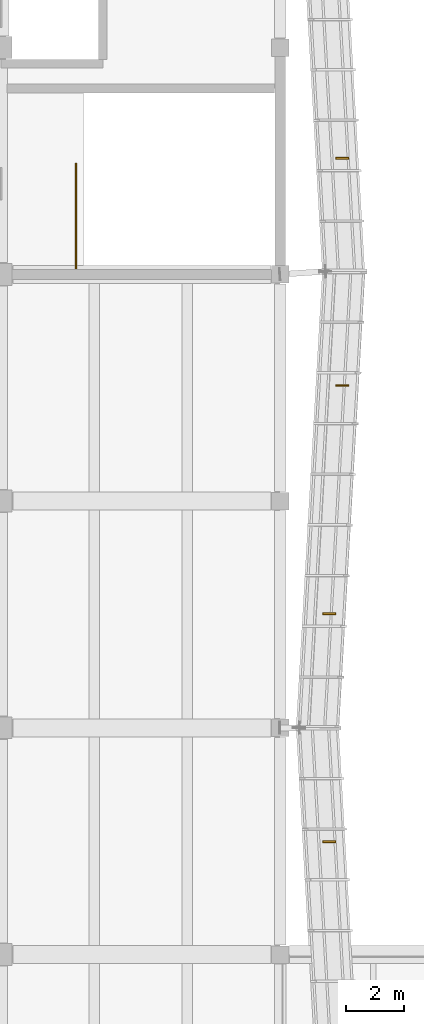
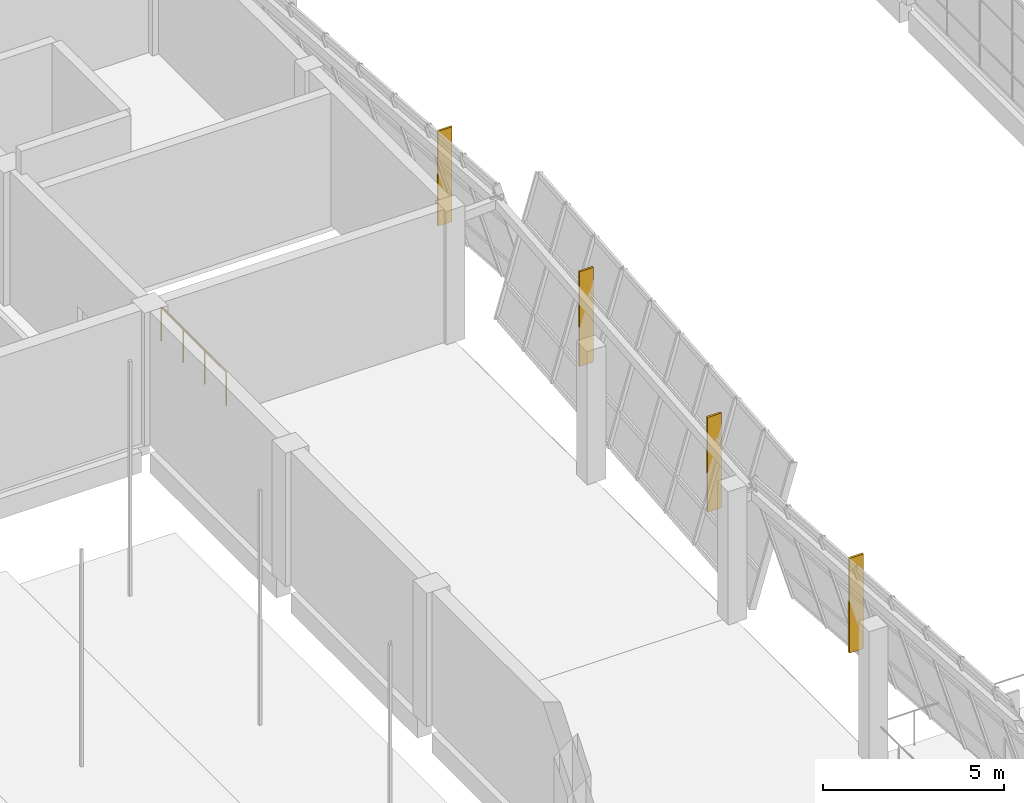
# One storey, part 68 of 71: 4 shading devices, 1 railing.
"""IFC4 building model written with IfcOpenShell, lengths in metres."""

from ifc_helpers import new_model, si_unit, direction, frame, origin, origin_2d, place, context, subcontext, project, spatial, rectangle, circle, extrude, material, type_object, element, save


model = new_model("IFC4")

# Units and contexts
model_context = context("Model", 3, precision=1e-05, world=origin(), true_north=direction((0.0, 1.0)))
body_context = subcontext(model_context, "Body", "Model", "MODEL_VIEW")
ifc_project = project(units=[si_unit("LENGTHUNIT", "METRE"), si_unit("AREAUNIT", "SQUARE_METRE"), si_unit("VOLUMEUNIT", "CUBIC_METRE"), si_unit("PLANEANGLEUNIT", "RADIAN"), si_unit("MASSUNIT", "GRAM", prefix="KILO")], contexts=[model_context])

# Site, building, storey
site_placement = place(None, origin())
site = spatial("IfcSite", under=ifc_project, at=site_placement, CompositionType="ELEMENT")
building_placement = place(site_placement, origin())
building = spatial("IfcBuilding", under=site, at=building_placement, Name="Pellamere Symphony Hall", CompositionType="ELEMENT")
storey_placement = place(building_placement, frame((0.0, 0.0, 15.0)))
storey = spatial("IfcBuildingStorey", under=building, at=storey_placement, Name="L03", CompositionType="ELEMENT", Elevation=15.0)

# Shading devices
ifc_material_1 = material(Name="Champagne-Anodised Extruded Aluminium 6063-T6", Category="aluminium")
shading_device_type = type_object("IfcShadingDeviceType", Name="Exterior Shading SD-01 65x450", PredefinedType="SHUTTER", material=ifc_material_1)
for number, where, z_axis, x_axis, name in (
    (1, (120.4814453125, 57.875, 0.64990234375), (0.0, 0.0, 1.0), (0.0, 1.0, 0.0), "Crystal Acoustic Sunshade Fin CW-CR07 (L03)"),
    (2, (120.4814453125, 65.72509765625, 0.64990234375), (0.0, 0.0, 1.0), (0.0, 1.0, 0.0), "Crystal Acoustic Sunshade Fin CW-CR08 (L03)"),
    (3, (120.931396484375, 73.574951171875, 0.64990234375), (0.0, 0.0, 1.0), (0.0, 1.0, 0.0), "Crystal Acoustic Sunshade Fin CW-CR08 (L03)"),
    (4, (120.931396484375, 81.39990234375, 0.64990234375), (0.0, 0.0, 1.0), (0.0, 1.0, 0.0), "Crystal Acoustic Sunshade Fin CW-CR09 (L03)"),
):
    element("IfcShadingDevice", number, at=place(storey_placement, frame(where, z_axis=z_axis, x_axis=x_axis)), inside=storey, type_object=shading_device_type, Name=name, PredefinedType="SHUTTER", context=body_context, shape_type="SweptSolid", body=[
        extrude(rectangle(XDim=0.06494140625, YDim=0.449951171875, at=origin_2d()), origin(), (0.0, 0.0, 1.0), 3.199951171875),
    ])

# Railing
ifc_material_2 = material(Name="Painted Steel CSA G40.21 350W", Category="steel")
railing_type = type_object("IfcRailingType", Name="Guardrail GR-02 H1150 Painted", PredefinedType="GUARDRAIL", material=ifc_material_2)
railing_placement = place(storey_placement, frame((111.77490234375, 77.610107421875, 0.0)))
element("IfcRailing", 5, at=railing_placement, inside=storey, type_object=railing_type, Name="Stair ST04-L02 Top Landing Well Guard (L03)", PredefinedType="GUARDRAIL", context=body_context, shape_type="SweptSolid", body=[
    extrude(circle(Radius=0.02392578125, at=origin_2d()), frame((0.0, 0.0, 1.1259765625), z_axis=(0.0, 1.0, 0.0), x_axis=(-1.0, 0.0, 0.0)), (0.0, 0.0, 1.0), 3.599853515625),
    extrude(circle(Radius=0.02099609375, at=origin_2d()), origin(), (0.0, 0.0, 1.0), 1.101806640625),
    extrude(circle(Radius=0.02099609375, at=origin_2d()), frame((0.0, 1.199951171875, 0.0)), (0.0, 0.0, 1.0), 1.101806640625),
    extrude(circle(Radius=0.02099609375, at=origin_2d()), frame((0.0, 2.39990234375, 0.0)), (0.0, 0.0, 1.0), 1.101806640625),
    extrude(circle(Radius=0.02099609375, at=origin_2d()), frame((0.0, 3.599853515625, 0.0)), (0.0, 0.0, 1.0), 1.101806640625),
])

save(model, "model.ifc")
